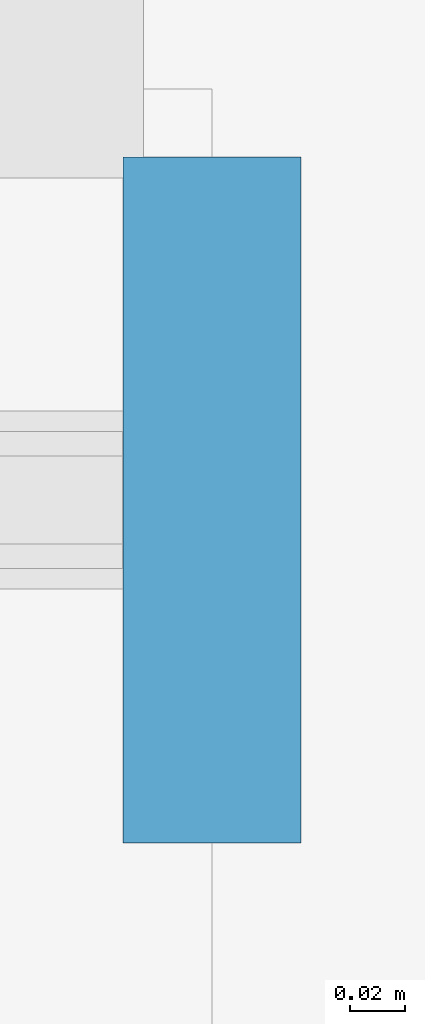
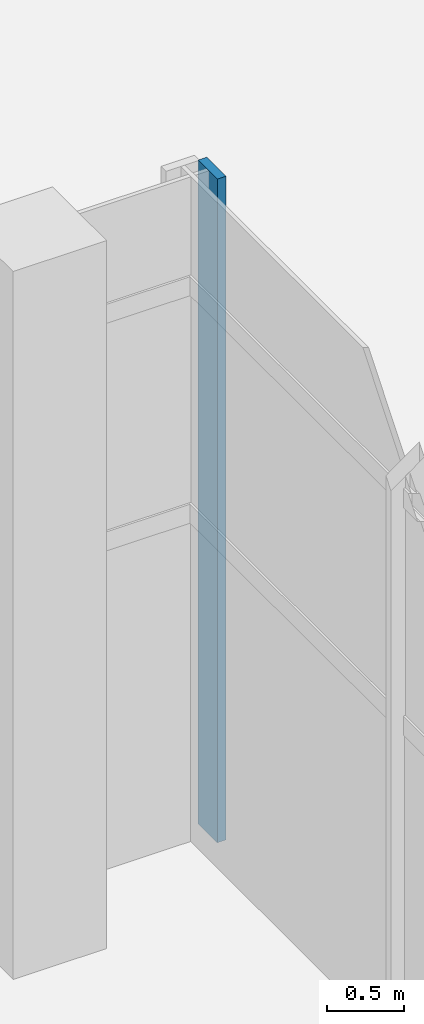
# One storey, part 8 of 27: 1 member, 1 element without a shape of its own.
"""IFC4 building model written with IfcOpenShell, lengths in metres."""

from ifc_helpers import new_model, si_unit, direction, frame, origin, origin_2d, place, context, subcontext, project, spatial, rectangle, extrude, material, material_profile, profile_set, type_object, element, aggregate, save


model = new_model("IFC4")

# Units and contexts
model_context = context("Model", 3, precision=1e-05, world=origin(), true_north=direction((0.0, 1.0)))
body_context = subcontext(model_context, "Body", "Model", "MODEL_VIEW")
ifc_project = project(units=[si_unit("LENGTHUNIT", "METRE"), si_unit("AREAUNIT", "SQUARE_METRE"), si_unit("VOLUMEUNIT", "CUBIC_METRE"), si_unit("PLANEANGLEUNIT", "RADIAN"), si_unit("MASSUNIT", "GRAM", prefix="KILO")], contexts=[model_context])

# Site, building, storey
site_placement = place(None, origin())
site = spatial("IfcSite", under=ifc_project, at=site_placement, CompositionType="ELEMENT")
building_placement = place(site_placement, origin())
building = spatial("IfcBuilding", under=site, at=building_placement, Name="Turquesa Mirador Hotel Tower", CompositionType="ELEMENT")
storey_placement = place(building_placement, origin())
storey = spatial("IfcBuildingStorey", under=building, at=storey_placement, Name="L00", CompositionType="ELEMENT", Elevation=0.0)

# Curtain wall, member
ifc_material_1 = material(Name="Aluminium extrusion", Category="aluminium")
curtain_wall_type = type_object("IfcCurtainWallType", Name="CW-1 LOBBY CURTAIN WALL", PredefinedType="USERDEFINED", material=ifc_material_1)
curtain_wall_placement = place(storey_placement, origin())
curtain_wall = element("IfcCurtainWall", 1, at=curtain_wall_placement, inside=storey, type_object=curtain_wall_type, Name="CW-1 LOBBY CURTAIN WALL L00", ObjectType="CURTAIN WALL", PredefinedType="USERDEFINED")
ifc_material_2 = material(Name="Aluminium extrusion", Category="aluminium")
ifc_material_profile = material_profile(ifc_material_2, rectangle(XDim=0.06494140625, YDim=0.25, at=origin_2d()), Name="MULLION 65X250")
ifc_profile_set = profile_set([ifc_material_profile], Name="Aluminium extrusion")
member_type = type_object("IfcMemberType", Name="CW MULLION 65X250", PredefinedType="MULLION", material=ifc_profile_set)
member_placement = place(storey_placement, frame((87.0, 70.85009765625, 0.0), z_axis=(0.0, 0.0, 1.0), x_axis=(-1.0, 0.0, 0.0)))
member = element("IfcMember", 2, at=member_placement, type_object=member_type, Name="Mullion", PredefinedType="MULLION", context=body_context, shape_type="SweptSolid", body=[
    extrude(rectangle(XDim=0.06494140625, YDim=0.25, at=origin_2d()), origin(), (0.0, 0.0, 1.0), 5.25),
])
aggregate(curtain_wall, [member])

save(model, "model.ifc")
